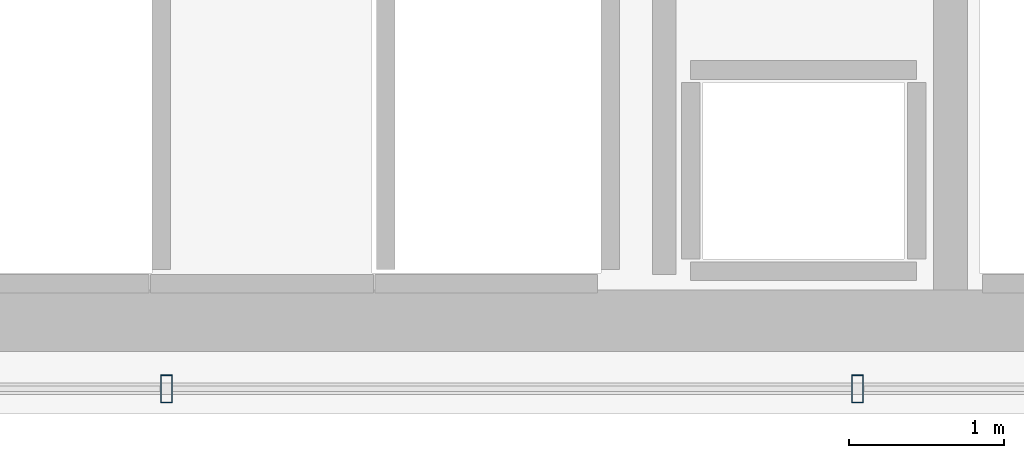
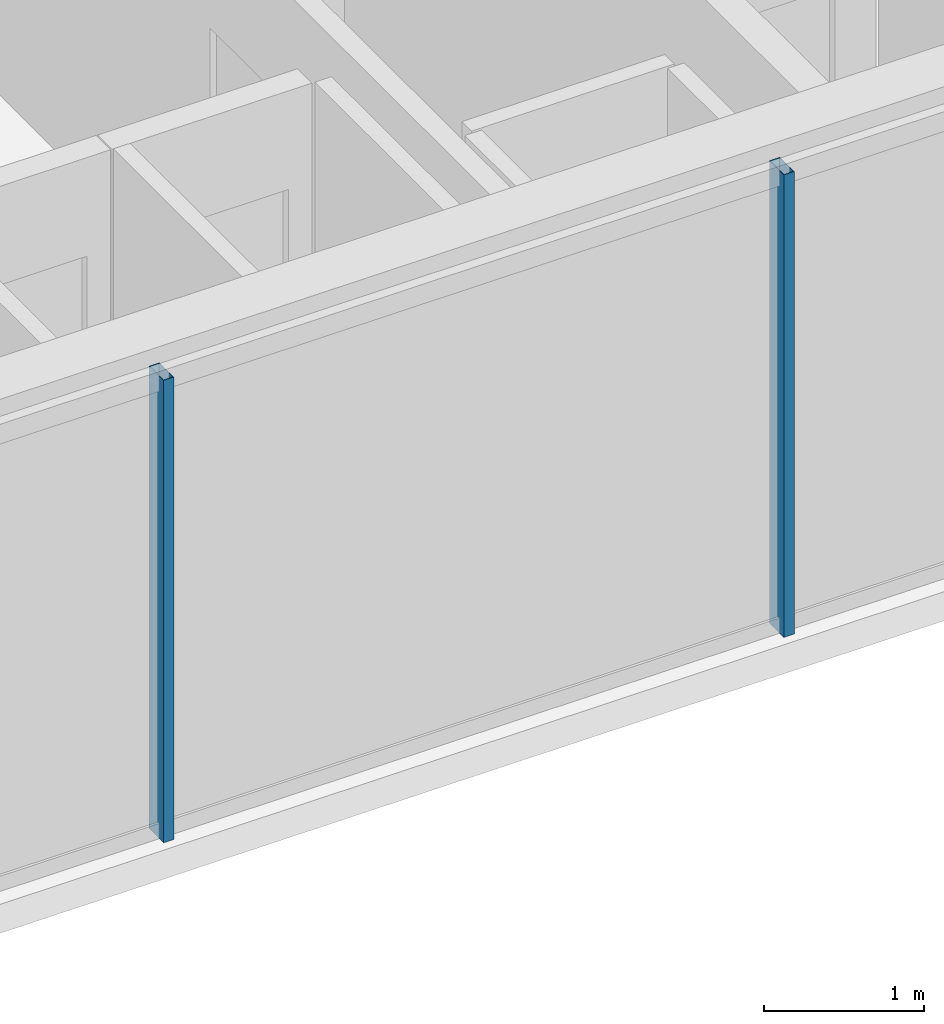
# One storey, part 9 of 32: 2 members, 1 element without a shape of its own.
"""IFC4 building model written with IfcOpenShell, lengths in metres."""

from ifc_helpers import new_model, si_unit, direction, frame, origin, origin_2d, place, context, subcontext, project, spatial, hollow_rectangle, extrude, material, layer, layer_set, material_profile, profile_set, type_object, element, aggregate, save


model = new_model("IFC4")

# Units and contexts
model_context = context("Model", 3, precision=1e-05, world=origin(), true_north=direction((0.0, 1.0)))
body_context = subcontext(model_context, "Body", "Model", "MODEL_VIEW")
ifc_project = project(units=[si_unit("LENGTHUNIT", "METRE"), si_unit("AREAUNIT", "SQUARE_METRE"), si_unit("VOLUMEUNIT", "CUBIC_METRE"), si_unit("PLANEANGLEUNIT", "RADIAN"), si_unit("MASSUNIT", "GRAM", prefix="KILO")], contexts=[model_context])

# Site, building, storey
site_placement = place(None, origin())
site = spatial("IfcSite", under=ifc_project, at=site_placement, CompositionType="ELEMENT")
building_placement = place(site_placement, origin())
building = spatial("IfcBuilding", under=site, at=building_placement, Name="Ndaravel Arena Tower", CompositionType="ELEMENT")
storey_placement = place(building_placement, frame((0.0, 0.0, 294.699951171875)))
storey = spatial("IfcBuildingStorey", under=building, at=storey_placement, Name="L72", CompositionType="ELEMENT", Elevation=294.699951171875)

# Curtain wall, members
ifc_material_1 = material(Name="Aluminium", Category="aluminium")
ifc_layer = layer(ifc_material_1, 0.179931640625)
ifc_layer_set = layer_set([ifc_layer], Name="Aluminium")
curtain_wall_type = type_object("IfcCurtainWallType", Name="CW-SYS-03", PredefinedType="NOTDEFINED", material=ifc_layer_set)
curtain_wall_placement = place(storey_placement, origin())
curtain_wall = element("IfcCurtainWall", 1, at=curtain_wall_placement, inside=storey, type_object=curtain_wall_type, Name="L72 Faceted Crystal Curtain Wall CW-L72-E01", PredefinedType="NOTDEFINED")
ifc_material_2 = material(Name="Aluminium", Category="aluminium")
ifc_material_profile = material_profile(ifc_material_2, hollow_rectangle(XDim=0.074951171875, YDim=0.179931640625, WallThickness=0.00390625, at=origin_2d()), Name="CW MULLION 75x180x4")
ifc_profile_set = profile_set([ifc_material_profile], Name="Aluminium")
member_type = type_object("IfcMemberType", Name="MEM-CW-MUL180", PredefinedType="MULLION", material=ifc_profile_set)
member_1_placement = place(storey_placement, frame((44.23291015625, 5.159912109375, 0.0), z_axis=(0.0, 0.0, 1.0), x_axis=(1.0, 0.0, 0.0)))
member_1 = element("IfcMember", 2, at=member_1_placement, type_object=member_type, Name="CW-L72-E01 Mullion 05", PredefinedType="MULLION", context=body_context, shape_type="SweptSolid", body=[
    extrude(hollow_rectangle(XDim=0.074951171875, YDim=0.179931640625, WallThickness=0.00390625, at=origin_2d()), origin(), (0.0, 0.0, 1.0), 3.52001953125),
])
member_2_placement = place(storey_placement, frame((48.69921875, 5.159912109375, 0.0), z_axis=(0.0, 0.0, 1.0), x_axis=(1.0, 0.0, 0.0)))
member_2 = element("IfcMember", 3, at=member_2_placement, type_object=member_type, Name="CW-L72-E01 Mullion 06", PredefinedType="MULLION", context=body_context, shape_type="SweptSolid", body=[
    extrude(hollow_rectangle(XDim=0.074951171875, YDim=0.179931640625, WallThickness=0.00390625, at=origin_2d()), origin(), (0.0, 0.0, 1.0), 3.52001953125),
])
aggregate(curtain_wall, [member_1, member_2])

save(model, "model.ifc")
